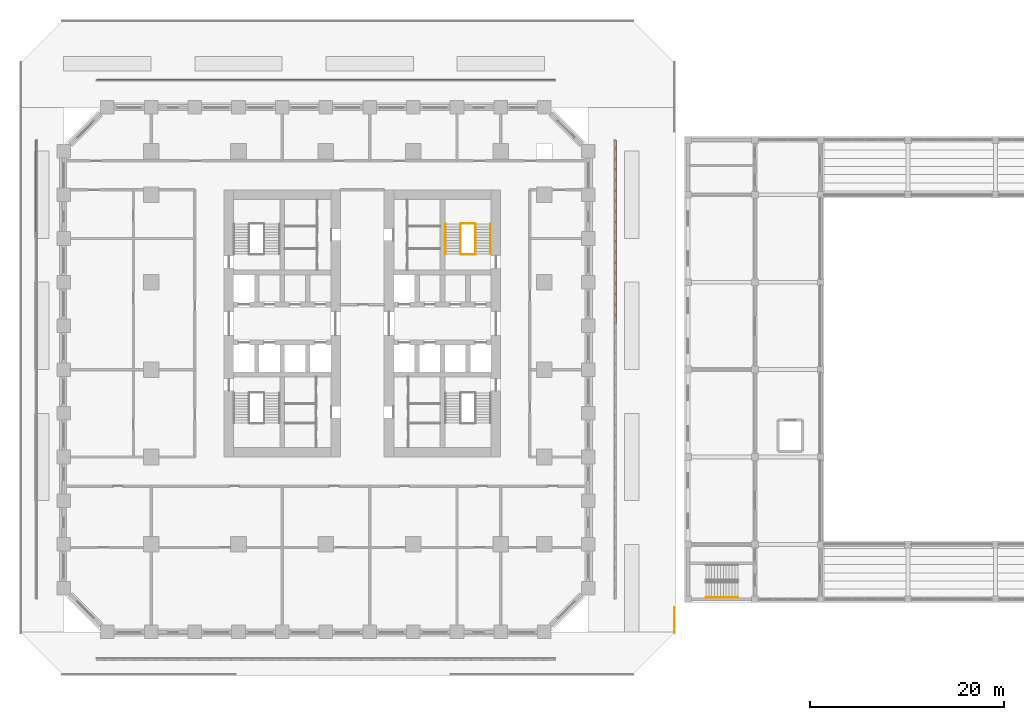
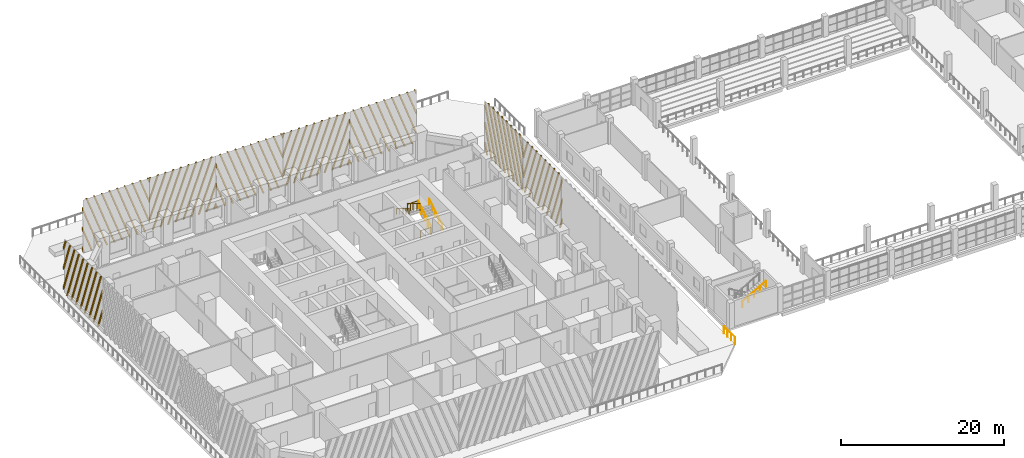
# One storey, part 28 of 36: 8 railings, 8 shading devices.
"""IFC4 building model written with IfcOpenShell, lengths in metres."""

from ifc_helpers import new_model, si_unit, direction, frame, origin, origin_2d, place, context, subcontext, project, spatial, polyline, circle, outline, extrude, source, transform, mapped, material, type_object, element, save


model = new_model("IFC4")

# Units and contexts
model_context = context("Model", 3, precision=1e-05, world=origin(), true_north=direction((0.0, 1.0)))
body_context = subcontext(model_context, "Body", "Model", "MODEL_VIEW")
ifc_project = project(units=[si_unit("LENGTHUNIT", "METRE"), si_unit("AREAUNIT", "SQUARE_METRE"), si_unit("VOLUMEUNIT", "CUBIC_METRE"), si_unit("PLANEANGLEUNIT", "RADIAN"), si_unit("MASSUNIT", "GRAM", prefix="KILO")], contexts=[model_context])

# Site, building, storey
site_placement = place(None, origin())
site = spatial("IfcSite", under=ifc_project, at=site_placement, CompositionType="ELEMENT")
building_placement = place(site_placement, origin())
building = spatial("IfcBuilding", under=site, at=building_placement, Name="Corbel Stack Research Tower", CompositionType="ELEMENT")
storey_placement = place(building_placement, frame((0.0, 0.0, 7.199951171875)))
storey = spatial("IfcBuildingStorey", under=building, at=storey_placement, Name="L01", CompositionType="ELEMENT", Elevation=7.199951171875)

# Railings
ifc_material_1 = material(Name="Steel S235", Category="steel")
railing_type_1 = type_object("IfcRailingType", Name="HR2 handrail 900", PredefinedType="HANDRAIL", material=ifc_material_1)
railing_1_placement = place(storey_placement, frame((39.125, -23.449951171875, 2.220947265625)))
element("IfcRailing", 1, at=railing_1_placement, inside=storey, type_object=railing_type_1, Name="L01 HS1 stair handrail 2", PredefinedType="HANDRAIL", context=body_context, shape_type="SweptSolid", body=[
    extrude(circle(Radius=0.02392578125, at=origin_2d()), frame((0.0, 0.0, 0.8759765625), z_axis=(0.868989882718, 0.0, 0.494829853317), x_axis=(0.0, 1.0, 0.0)), (0.0, 0.0, 1.0), 3.797607421875),
    extrude(circle(Radius=0.02099609375, at=origin_2d()), origin(), (0.0, 0.0, 1.0), 0.851806640625),
    extrude(circle(Radius=0.02099609375, at=origin_2d()), frame((0.824951171875, 0.0, 0.4697265625)), (0.0, 0.0, 1.0), 0.851806640625),
    extrude(circle(Radius=0.02099609375, at=origin_2d()), frame((1.64990234375, 0.0, 0.939453125)), (0.0, 0.0, 1.0), 0.851806640625),
    extrude(circle(Radius=0.02099609375, at=origin_2d()), frame((2.47509765625, 0.0, 1.409423828125)), (0.0, 0.0, 1.0), 0.851806640625),
    extrude(circle(Radius=0.02099609375, at=origin_2d()), frame((3.300048828125, 0.0, 1.879150390625)), (0.0, 0.0, 1.0), 0.851806640625),
])
ifc_material_2 = material(Name="Steel S235", Category="steel")
railing_type_2 = type_object("IfcRailingType", Name="SR1 guard 1100", PredefinedType="GUARDRAIL", material=ifc_material_2)
railing_2_placement = place(storey_placement, frame((35.89990234375, -24.5, 0.0)))
element("IfcRailing", 2, at=railing_2_placement, inside=storey, type_object=railing_type_2, Name="Garden deck guard 6", PredefinedType="GUARDRAIL", context=body_context, shape_type="SweptSolid", body=[
    extrude(circle(Radius=0.02392578125, at=origin_2d()), frame((0.0, 0.0, 1.076171875), z_axis=(0.0, -1.0, 0.0), x_axis=(1.0, 0.0, 0.0)), (0.0, 0.0, 1.0), 2.642333984375),
    extrude(circle(Radius=0.02099609375, at=origin_2d()), origin(), (0.0, 0.0, 1.0), 1.052001953125),
    extrude(circle(Radius=0.02099609375, at=origin_2d()), frame((0.0, -0.880859375, 0.0)), (0.0, 0.0, 1.0), 1.052001953125),
    extrude(circle(Radius=0.02099609375, at=origin_2d()), frame((0.0, -1.761474609375, 0.0)), (0.0, 0.0, 1.0), 1.052001953125),
    extrude(circle(Radius=0.02099609375, at=origin_2d()), frame((0.0, -2.642333984375, 0.0)), (0.0, 0.0, 1.0), 1.052001953125),
])
ifc_material_3 = material(Name="Steel S355", Category="steel")
railing_type_3 = type_object("IfcRailingType", Name="Stair guard 1100", PredefinedType="GUARDRAIL", material=ifc_material_3)
railing_3_placement = place(storey_placement, frame((15.39990234375, 11.89990234375, 0.1708984375)))
element("IfcRailing", 3, at=railing_3_placement, inside=storey, type_object=railing_type_3, Name="L01 ST-E2 stair guard 1", PredefinedType="GUARDRAIL", context=body_context, shape_type="SweptSolid", body=[
    extrude(circle(Radius=0.02392578125, at=origin_2d()), frame((0.0, 0.0, 1.076171875), z_axis=(0.0, 0.853666305674, 0.52082035152), x_axis=(-1.0, 0.0, 0.0)), (0.0, 0.0, 1.0), 3.608154296875),
    extrude(circle(Radius=0.02099609375, at=origin_2d()), origin(), (0.0, 0.0, 1.0), 1.052001953125),
    extrude(circle(Radius=0.02099609375, at=origin_2d()), frame((0.0, 0.77001953125, 0.4697265625)), (0.0, 0.0, 1.0), 1.052001953125),
    extrude(circle(Radius=0.02099609375, at=origin_2d()), frame((0.0, 1.5400390625, 0.939453125)), (0.0, 0.0, 1.0), 1.052001953125),
    extrude(circle(Radius=0.02099609375, at=origin_2d()), frame((0.0, 2.31005859375, 1.409423828125)), (0.0, 0.0, 1.0), 1.052001953125),
    extrude(circle(Radius=0.02099609375, at=origin_2d()), frame((0.0, 3.080078125, 1.879150390625)), (0.0, 0.0, 1.0), 1.052001953125),
])
railing_4_placement = place(storey_placement, frame((15.35009765625, 15.030029296875, 2.050048828125)))
element("IfcRailing", 4, at=railing_4_placement, inside=storey, type_object=railing_type_3, Name="L01 ST-E2 stair guard 2", PredefinedType="GUARDRAIL", context=body_context, shape_type="SweptSolid", body=[
    extrude(circle(Radius=0.02392578125, at=origin_2d()), frame((0.0, 0.0, 1.076171875), z_axis=(-1.0, 0.0, 0.0), x_axis=(0.0, -1.0, 0.0)), (0.0, 0.0, 1.0), 1.4501953125),
    extrude(circle(Radius=0.02099609375, at=origin_2d()), origin(), (0.0, 0.0, 1.0), 1.052001953125),
    extrude(circle(Radius=0.02099609375, at=origin_2d()), frame((-0.72509765625, 0.0, 0.0)), (0.0, 0.0, 1.0), 1.052001953125),
    extrude(circle(Radius=0.02099609375, at=origin_2d()), frame((-1.4501953125, 0.0, 0.0)), (0.0, 0.0, 1.0), 1.052001953125),
])
railing_5_placement = place(storey_placement, frame((13.85009765625, 14.97998046875, 2.220947265625)))
element("IfcRailing", 5, at=railing_5_placement, inside=storey, type_object=railing_type_3, Name="L01 ST-E2 stair guard 3", PredefinedType="GUARDRAIL", context=body_context, shape_type="SweptSolid", body=[
    extrude(circle(Radius=0.02392578125, at=origin_2d()), frame((0.0, 0.0, 1.076171875), z_axis=(0.0, -0.853666305674, 0.52082035152), x_axis=(1.0, 0.0, 0.0)), (0.0, 0.0, 1.0), 3.608154296875),
    extrude(circle(Radius=0.02099609375, at=origin_2d()), origin(), (0.0, 0.0, 1.0), 1.052001953125),
    extrude(circle(Radius=0.02099609375, at=origin_2d()), frame((0.0, -0.77001953125, 0.4697265625)), (0.0, 0.0, 1.0), 1.052001953125),
    extrude(circle(Radius=0.02099609375, at=origin_2d()), frame((0.0, -1.5400390625, 0.939453125)), (0.0, 0.0, 1.0), 1.052001953125),
    extrude(circle(Radius=0.02099609375, at=origin_2d()), frame((0.0, -2.31005859375, 1.409423828125)), (0.0, 0.0, 1.0), 1.052001953125),
    extrude(circle(Radius=0.02099609375, at=origin_2d()), frame((0.0, -3.080078125, 1.879150390625)), (0.0, 0.0, 1.0), 1.052001953125),
])
railing_6_placement = place(storey_placement, frame((15.35009765625, 11.85009765625, 0.0)))
element("IfcRailing", 6, at=railing_6_placement, inside=storey, type_object=railing_type_3, Name="L01 ST-E2 stair guard 4", PredefinedType="GUARDRAIL", context=body_context, shape_type="SweptSolid", body=[
    extrude(circle(Radius=0.02392578125, at=origin_2d()), frame((0.0, 0.0, 1.076171875), z_axis=(-1.0, 0.0, 0.0), x_axis=(0.0, -1.0, 0.0)), (0.0, 0.0, 1.0), 1.4501953125),
    extrude(circle(Radius=0.02099609375, at=origin_2d()), origin(), (0.0, 0.0, 1.0), 1.052001953125),
    extrude(circle(Radius=0.02099609375, at=origin_2d()), frame((-0.72509765625, 0.0, 0.0)), (0.0, 0.0, 1.0), 1.052001953125),
    extrude(circle(Radius=0.02099609375, at=origin_2d()), frame((-1.4501953125, 0.0, 0.0)), (0.0, 0.0, 1.0), 1.052001953125),
])
ifc_material_4 = material(Name="Steel S355", Category="steel")
railing_type_4 = type_object("IfcRailingType", Name="Stair handrail 900", PredefinedType="HANDRAIL", material=ifc_material_4)
railing_7_placement = place(storey_placement, frame((16.949951171875, 11.89990234375, 0.1708984375)))
element("IfcRailing", 7, at=railing_7_placement, inside=storey, type_object=railing_type_4, Name="L01 ST-E2 stair handrail 1", PredefinedType="HANDRAIL", context=body_context, shape_type="SweptSolid", body=[
    extrude(circle(Radius=0.02392578125, at=origin_2d()), frame((0.0, 0.0, 0.8759765625), z_axis=(0.0, 0.853666305674, 0.52082035152), x_axis=(-1.0, 0.0, 0.0)), (0.0, 0.0, 1.0), 3.608154296875),
    extrude(circle(Radius=0.02099609375, at=origin_2d()), origin(), (0.0, 0.0, 1.0), 0.851806640625),
    extrude(circle(Radius=0.02099609375, at=origin_2d()), frame((0.0, 0.77001953125, 0.4697265625)), (0.0, 0.0, 1.0), 0.851806640625),
    extrude(circle(Radius=0.02099609375, at=origin_2d()), frame((0.0, 1.5400390625, 0.939453125)), (0.0, 0.0, 1.0), 0.851806640625),
    extrude(circle(Radius=0.02099609375, at=origin_2d()), frame((0.0, 2.31005859375, 1.409423828125)), (0.0, 0.0, 1.0), 0.851806640625),
    extrude(circle(Radius=0.02099609375, at=origin_2d()), frame((0.0, 3.080078125, 1.879150390625)), (0.0, 0.0, 1.0), 0.851806640625),
])
railing_8_placement = place(storey_placement, frame((12.300048828125, 14.97998046875, 2.220947265625)))
element("IfcRailing", 8, at=railing_8_placement, inside=storey, type_object=railing_type_4, Name="L01 ST-E2 stair handrail 2", PredefinedType="HANDRAIL", context=body_context, shape_type="SweptSolid", body=[
    extrude(circle(Radius=0.02392578125, at=origin_2d()), frame((0.0, 0.0, 0.8759765625), z_axis=(0.0, -0.853666305674, 0.52082035152), x_axis=(1.0, 0.0, 0.0)), (0.0, 0.0, 1.0), 3.608154296875),
    extrude(circle(Radius=0.02099609375, at=origin_2d()), origin(), (0.0, 0.0, 1.0), 0.851806640625),
    extrude(circle(Radius=0.02099609375, at=origin_2d()), frame((0.0, -0.77001953125, 0.4697265625)), (0.0, 0.0, 1.0), 0.851806640625),
    extrude(circle(Radius=0.02099609375, at=origin_2d()), frame((0.0, -1.5400390625, 0.939453125)), (0.0, 0.0, 1.0), 0.851806640625),
    extrude(circle(Radius=0.02099609375, at=origin_2d()), frame((0.0, -2.31005859375, 1.409423828125)), (0.0, 0.0, 1.0), 0.851806640625),
    extrude(circle(Radius=0.02099609375, at=origin_2d()), frame((0.0, -3.080078125, 1.879150390625)), (0.0, 0.0, 1.0), 0.851806640625),
])

# Shading devices
ifc_material_5 = material(Name="Precast terracotta", Category="masonry")
shading_device_type = type_object("IfcShadingDeviceType", Name="Terracotta screen panel", PredefinedType="USERDEFINED", material=ifc_material_5)
shared_shape_1 = source(origin(), body_context, "Body", "SweptSolid", [
    extrude(outline(polyline([(1.09033203125, 7.949951171875), (0.900390625, 7.949951171875), (0.0, 5.476318359375), (0.0, 4.9541015625), (1.09033203125, 7.949951171875)])), frame((0.0, 0.0, 0.0), z_axis=(0.0, -1.0, 0.0), x_axis=(1.0, 0.0, 0.0)), (0.0, 0.0, 1.0), 0.179931640625),
    extrude(outline(polyline([(2.175048828125, 7.949951171875), (1.985107421875, 7.949951171875), (0.0, 2.49609375), (0.0, 1.97412109375), (2.175048828125, 7.949951171875)])), frame((0.0, 0.0, 0.0), z_axis=(0.0, -1.0, 0.0), x_axis=(1.0, 0.0, 0.0)), (0.0, 0.0, 1.0), 0.179931640625),
    extrude(outline(polyline([(0.3662109375, 0.0), (3.259765625, 7.949951171875), (3.069580078125, 7.949951171875), (0.17626953125, 0.0), (0.3662109375, 0.0)])), frame((0.0, 0.0, 0.0), z_axis=(0.0, -1.0, 0.0), x_axis=(1.0, 0.0, 0.0)), (0.0, 0.0, 1.0), 0.179931640625),
    extrude(outline(polyline([(1.45068359375, 0.0), (4.344482421875, 7.949951171875), (4.154296875, 7.949951171875), (1.2607421875, 0.0), (1.45068359375, 0.0)])), frame((0.0, 0.0, 0.0), z_axis=(0.0, -1.0, 0.0), x_axis=(1.0, 0.0, 0.0)), (0.0, 0.0, 1.0), 0.179931640625),
    extrude(outline(polyline([(2.535400390625, 0.0), (5.42919921875, 7.949951171875), (5.239013671875, 7.949951171875), (2.345458984375, 0.0), (2.535400390625, 0.0)])), frame((0.0, 0.0, 0.0), z_axis=(0.0, -1.0, 0.0), x_axis=(1.0, 0.0, 0.0)), (0.0, 0.0, 1.0), 0.179931640625),
    extrude(outline(polyline([(3.6201171875, 0.0), (6.513671875, 7.949951171875), (6.32373046875, 7.949951171875), (3.43017578125, 0.0), (3.6201171875, 0.0)])), frame((0.0, 0.0, 0.0), z_axis=(0.0, -1.0, 0.0), x_axis=(1.0, 0.0, 0.0)), (0.0, 0.0, 1.0), 0.179931640625),
    extrude(outline(polyline([(4.704833984375, 0.0), (7.598388671875, 7.949951171875), (7.408447265625, 7.949951171875), (4.514892578125, 0.0), (4.704833984375, 0.0)])), frame((0.0, 0.0, 0.0), z_axis=(0.0, -1.0, 0.0), x_axis=(1.0, 0.0, 0.0)), (0.0, 0.0, 1.0), 0.179931640625),
    extrude(outline(polyline([(5.78955078125, 0.0), (8.68310546875, 7.949951171875), (8.4931640625, 7.949951171875), (5.599609375, 0.0), (5.78955078125, 0.0)])), frame((0.0, 0.0, 0.0), z_axis=(0.0, -1.0, 0.0), x_axis=(1.0, 0.0, 0.0)), (0.0, 0.0, 1.0), 0.179931640625),
    extrude(outline(polyline([(6.874267578125, 0.0), (9.45556640625, 7.092529296875), (9.45556640625, 7.614501953125), (6.68408203125, 0.0), (6.874267578125, 0.0)])), frame((0.0, 0.0, 0.0), z_axis=(0.0, -1.0, 0.0), x_axis=(1.0, 0.0, 0.0)), (0.0, 0.0, 1.0), 0.179931640625),
    extrude(outline(polyline([(7.958740234375, 0.0), (9.45556640625, 4.1123046875), (9.45556640625, 4.634521484375), (7.768798828125, 0.0), (7.958740234375, 0.0)])), frame((0.0, 0.0, 0.0), z_axis=(0.0, -1.0, 0.0), x_axis=(1.0, 0.0, 0.0)), (0.0, 0.0, 1.0), 0.179931640625),
    extrude(outline(polyline([(9.04345703125, 0.0), (9.45556640625, 1.13232421875), (9.45556640625, 1.654296875), (8.853515625, 0.0), (9.04345703125, 0.0)])), frame((0.0, 0.0, 0.0), z_axis=(0.0, -1.0, 0.0), x_axis=(1.0, 0.0, 0.0)), (0.0, 0.0, 1.0), 0.179931640625),
])
shading_device_1_placement = place(storey_placement, frame((29.75, 14.18359375, 0.0), z_axis=(0.0, 0.0, 1.0), x_axis=(0.0, 1.0, 0.0)))
element("IfcShadingDevice", 9, at=shading_device_1_placement, inside=storey, type_object=shading_device_type, Name="Terracotta screen L01 E5", ObjectType="SCREEN", PredefinedType="USERDEFINED", context=body_context, shape_type="MappedRepresentation", body=[
    mapped(shared_shape_1, transform((0.0, 0.0, 0.0))),
])
shared_shape_2 = source(origin(), body_context, "Body", "SweptSolid", [
    extrude(outline(polyline([(0.60205078125, 0.0), (0.0, 1.654296875), (0.0, 1.13232421875), (0.412109375, 0.0), (0.60205078125, 0.0)])), frame((0.0, 0.0, 0.0), z_axis=(0.0, -1.0, 0.0), x_axis=(1.0, 0.0, 0.0)), (0.0, 0.0, 1.0), 0.179931640625),
    extrude(outline(polyline([(1.686767578125, 0.0), (0.0, 4.634521484375), (0.0, 4.1123046875), (1.496826171875, 0.0), (1.686767578125, 0.0)])), frame((0.0, 0.0, 0.0), z_axis=(0.0, -1.0, 0.0), x_axis=(1.0, 0.0, 0.0)), (0.0, 0.0, 1.0), 0.179931640625),
    extrude(outline(polyline([(2.771484375, 0.0), (0.0, 7.614501953125), (0.0, 7.092529296875), (2.58154296875, 0.0), (2.771484375, 0.0)])), frame((0.0, 0.0, 0.0), z_axis=(0.0, -1.0, 0.0), x_axis=(1.0, 0.0, 0.0)), (0.0, 0.0, 1.0), 0.179931640625),
    extrude(outline(polyline([(3.856201171875, 0.0), (0.962646484375, 7.949951171875), (0.772705078125, 7.949951171875), (3.666015625, 0.0), (3.856201171875, 0.0)])), frame((0.0, 0.0, 0.0), z_axis=(0.0, -1.0, 0.0), x_axis=(1.0, 0.0, 0.0)), (0.0, 0.0, 1.0), 0.179931640625),
    extrude(outline(polyline([(4.94091796875, 0.0), (2.047119140625, 7.949951171875), (1.857177734375, 7.949951171875), (4.750732421875, 0.0), (4.94091796875, 0.0)])), frame((0.0, 0.0, 0.0), z_axis=(0.0, -1.0, 0.0), x_axis=(1.0, 0.0, 0.0)), (0.0, 0.0, 1.0), 0.179931640625),
    extrude(outline(polyline([(6.025390625, 0.0), (3.1318359375, 7.949951171875), (2.94189453125, 7.949951171875), (5.83544921875, 0.0), (6.025390625, 0.0)])), frame((0.0, 0.0, 0.0), z_axis=(0.0, -1.0, 0.0), x_axis=(1.0, 0.0, 0.0)), (0.0, 0.0, 1.0), 0.179931640625),
    extrude(outline(polyline([(7.110107421875, 0.0), (4.216552734375, 7.949951171875), (4.026611328125, 7.949951171875), (6.920166015625, 0.0), (7.110107421875, 0.0)])), frame((0.0, 0.0, 0.0), z_axis=(0.0, -1.0, 0.0), x_axis=(1.0, 0.0, 0.0)), (0.0, 0.0, 1.0), 0.179931640625),
    extrude(outline(polyline([(8.19482421875, 0.0), (5.30126953125, 7.949951171875), (5.111083984375, 7.949951171875), (8.0048828125, 0.0), (8.19482421875, 0.0)])), frame((0.0, 0.0, 0.0), z_axis=(0.0, -1.0, 0.0), x_axis=(1.0, 0.0, 0.0)), (0.0, 0.0, 1.0), 0.179931640625),
    extrude(outline(polyline([(9.279541015625, 0.0), (6.385986328125, 7.949951171875), (6.19580078125, 7.949951171875), (9.089599609375, 0.0), (9.279541015625, 0.0)])), frame((0.0, 0.0, 0.0), z_axis=(0.0, -1.0, 0.0), x_axis=(1.0, 0.0, 0.0)), (0.0, 0.0, 1.0), 0.179931640625),
    extrude(outline(polyline([(7.470703125, 7.949951171875), (7.280517578125, 7.949951171875), (9.45556640625, 1.97412109375), (9.45556640625, 2.49609375), (7.470703125, 7.949951171875)])), frame((0.0, 0.0, 0.0), z_axis=(0.0, -1.0, 0.0), x_axis=(1.0, 0.0, 0.0)), (0.0, 0.0, 1.0), 0.179931640625),
    extrude(outline(polyline([(8.55517578125, 7.949951171875), (8.365234375, 7.949951171875), (9.45556640625, 4.9541015625), (9.45556640625, 5.476318359375), (8.55517578125, 7.949951171875)])), frame((0.0, 0.0, 0.0), z_axis=(0.0, -1.0, 0.0), x_axis=(1.0, 0.0, 0.0)), (0.0, 0.0, 1.0), 0.179931640625),
])
shading_device_2_placement = place(storey_placement, frame((29.75, 4.727783203125, 0.0), z_axis=(0.0, 0.0, 1.0), x_axis=(0.0, 1.0, 0.0)))
element("IfcShadingDevice", 10, at=shading_device_2_placement, inside=storey, type_object=shading_device_type, Name="Terracotta screen L01 E4", ObjectType="SCREEN", PredefinedType="USERDEFINED", context=body_context, shape_type="MappedRepresentation", body=[
    mapped(shared_shape_2, transform((0.0, 0.0, 0.0))),
])
shared_shape_3 = source(origin(), body_context, "Body", "SweptSolid", [
    extrude(outline(polyline([(0.27685546875, 7.949951171875), (0.0869140625, 7.949951171875), (0.0, 7.711181640625), (0.0, 7.189208984375), (0.27685546875, 7.949951171875)])), frame((0.0, 0.0, 0.0), z_axis=(0.0, -1.0, 0.0), x_axis=(1.0, 0.0, 0.0)), (0.0, 0.0, 1.0), 0.179931640625),
    extrude(outline(polyline([(1.361572265625, 7.949951171875), (1.171630859375, 7.949951171875), (0.0, 4.731201171875), (0.0, 4.208984375), (1.361572265625, 7.949951171875)])), frame((0.0, 0.0, 0.0), z_axis=(0.0, -1.0, 0.0), x_axis=(1.0, 0.0, 0.0)), (0.0, 0.0, 1.0), 0.179931640625),
    extrude(outline(polyline([(2.4462890625, 7.949951171875), (2.256103515625, 7.949951171875), (0.0, 1.751220703125), (0.0, 1.22900390625), (2.4462890625, 7.949951171875)])), frame((0.0, 0.0, 0.0), z_axis=(0.0, -1.0, 0.0), x_axis=(1.0, 0.0, 0.0)), (0.0, 0.0, 1.0), 0.179931640625),
    extrude(outline(polyline([(0.63720703125, 0.0), (3.531005859375, 7.949951171875), (3.3408203125, 7.949951171875), (0.447265625, 0.0), (0.63720703125, 0.0)])), frame((0.0, 0.0, 0.0), z_axis=(0.0, -1.0, 0.0), x_axis=(1.0, 0.0, 0.0)), (0.0, 0.0, 1.0), 0.179931640625),
    extrude(outline(polyline([(1.721923828125, 0.0), (4.615478515625, 7.949951171875), (4.425537109375, 7.949951171875), (1.531982421875, 0.0), (1.721923828125, 0.0)])), frame((0.0, 0.0, 0.0), z_axis=(0.0, -1.0, 0.0), x_axis=(1.0, 0.0, 0.0)), (0.0, 0.0, 1.0), 0.179931640625),
    extrude(outline(polyline([(2.806640625, 0.0), (5.7001953125, 7.949951171875), (5.51025390625, 7.949951171875), (2.61669921875, 0.0), (2.806640625, 0.0)])), frame((0.0, 0.0, 0.0), z_axis=(0.0, -1.0, 0.0), x_axis=(1.0, 0.0, 0.0)), (0.0, 0.0, 1.0), 0.179931640625),
    extrude(outline(polyline([(3.891357421875, 0.0), (6.784912109375, 7.949951171875), (6.594970703125, 7.949951171875), (3.701416015625, 0.0), (3.891357421875, 0.0)])), frame((0.0, 0.0, 0.0), z_axis=(0.0, -1.0, 0.0), x_axis=(1.0, 0.0, 0.0)), (0.0, 0.0, 1.0), 0.179931640625),
    extrude(outline(polyline([(4.97607421875, 0.0), (7.86962890625, 7.949951171875), (7.6796875, 7.949951171875), (4.785888671875, 0.0), (4.97607421875, 0.0)])), frame((0.0, 0.0, 0.0), z_axis=(0.0, -1.0, 0.0), x_axis=(1.0, 0.0, 0.0)), (0.0, 0.0, 1.0), 0.179931640625),
    extrude(outline(polyline([(6.060791015625, 0.0), (8.9541015625, 7.949951171875), (8.76416015625, 7.949951171875), (5.87060546875, 0.0), (6.060791015625, 0.0)])), frame((0.0, 0.0, 0.0), z_axis=(0.0, -1.0, 0.0), x_axis=(1.0, 0.0, 0.0)), (0.0, 0.0, 1.0), 0.179931640625),
    extrude(outline(polyline([(7.145263671875, 0.0), (9.45556640625, 6.347412109375), (9.45556640625, 6.869384765625), (6.955322265625, 0.0), (7.145263671875, 0.0)])), frame((0.0, 0.0, 0.0), z_axis=(0.0, -1.0, 0.0), x_axis=(1.0, 0.0, 0.0)), (0.0, 0.0, 1.0), 0.179931640625),
    extrude(outline(polyline([(8.22998046875, 0.0), (9.45556640625, 3.367431640625), (9.45556640625, 3.889404296875), (8.0400390625, 0.0), (8.22998046875, 0.0)])), frame((0.0, 0.0, 0.0), z_axis=(0.0, -1.0, 0.0), x_axis=(1.0, 0.0, 0.0)), (0.0, 0.0, 1.0), 0.179931640625),
    extrude(outline(polyline([(9.314697265625, 0.0), (9.45556640625, 0.38720703125), (9.45556640625, 0.9091796875), (9.124755859375, 0.0), (9.314697265625, 0.0)])), frame((0.0, 0.0, 0.0), z_axis=(0.0, -1.0, 0.0), x_axis=(1.0, 0.0, 0.0)), (0.0, 0.0, 1.0), 0.179931640625),
])
for number, where, z_axis, x_axis, name in (
    (11, (23.63916015625, 29.75, 0.0), (0.0, 0.0, 1.0), (-1.0, 0.0, 0.0), "Terracotta screen L01 N1"),
    (12, (4.727783203125, 29.75, 0.0), (0.0, 0.0, 1.0), (-1.0, 0.0, 0.0), "Terracotta screen L01 N3"),
    (13, (-14.18359375, 29.75, 0.0), (0.0, 0.0, 1.0), (-1.0, 0.0, 0.0), "Terracotta screen L01 N5"),
):
    element("IfcShadingDevice", number, at=place(storey_placement, frame(where, z_axis=z_axis, x_axis=x_axis)), inside=storey, type_object=shading_device_type, Name=name, ObjectType="SCREEN", PredefinedType="USERDEFINED", context=body_context, shape_type="MappedRepresentation", body=[
        mapped(shared_shape_3, transform((0.0, 0.0, 0.0))),
    ])
shared_shape_4 = source(origin(), body_context, "Body", "SweptSolid", [
    extrude(outline(polyline([(0.3310546875, 0.0), (0.0, 0.9091796875), (0.0, 0.38720703125), (0.14111328125, 0.0), (0.3310546875, 0.0)])), frame((0.0, 0.0, 0.0), z_axis=(0.0, -1.0, 0.0), x_axis=(1.0, 0.0, 0.0)), (0.0, 0.0, 1.0), 0.179931640625),
    extrude(outline(polyline([(1.41552734375, 0.0), (0.0, 3.889404296875), (0.0, 3.367431640625), (1.2255859375, 0.0), (1.41552734375, 0.0)])), frame((0.0, 0.0, 0.0), z_axis=(0.0, -1.0, 0.0), x_axis=(1.0, 0.0, 0.0)), (0.0, 0.0, 1.0), 0.179931640625),
    extrude(outline(polyline([(2.500244140625, 0.0), (0.0, 6.869384765625), (0.0, 6.347412109375), (2.310302734375, 0.0), (2.500244140625, 0.0)])), frame((0.0, 0.0, 0.0), z_axis=(0.0, -1.0, 0.0), x_axis=(1.0, 0.0, 0.0)), (0.0, 0.0, 1.0), 0.179931640625),
    extrude(outline(polyline([(3.5849609375, 0.0), (0.69140625, 7.949951171875), (0.50146484375, 7.949951171875), (3.39501953125, 0.0), (3.5849609375, 0.0)])), frame((0.0, 0.0, 0.0), z_axis=(0.0, -1.0, 0.0), x_axis=(1.0, 0.0, 0.0)), (0.0, 0.0, 1.0), 0.179931640625),
    extrude(outline(polyline([(4.669677734375, 0.0), (1.776123046875, 7.949951171875), (1.586181640625, 7.949951171875), (4.4794921875, 0.0), (4.669677734375, 0.0)])), frame((0.0, 0.0, 0.0), z_axis=(0.0, -1.0, 0.0), x_axis=(1.0, 0.0, 0.0)), (0.0, 0.0, 1.0), 0.179931640625),
    extrude(outline(polyline([(5.75439453125, 0.0), (2.860595703125, 7.949951171875), (2.670654296875, 7.949951171875), (5.564208984375, 0.0), (5.75439453125, 0.0)])), frame((0.0, 0.0, 0.0), z_axis=(0.0, -1.0, 0.0), x_axis=(1.0, 0.0, 0.0)), (0.0, 0.0, 1.0), 0.179931640625),
    extrude(outline(polyline([(6.839111328125, 0.0), (3.9453125, 7.949951171875), (3.75537109375, 7.949951171875), (6.64892578125, 0.0), (6.839111328125, 0.0)])), frame((0.0, 0.0, 0.0), z_axis=(0.0, -1.0, 0.0), x_axis=(1.0, 0.0, 0.0)), (0.0, 0.0, 1.0), 0.179931640625),
    extrude(outline(polyline([(7.923583984375, 0.0), (5.030029296875, 7.949951171875), (4.840087890625, 7.949951171875), (7.733642578125, 0.0), (7.923583984375, 0.0)])), frame((0.0, 0.0, 0.0), z_axis=(0.0, -1.0, 0.0), x_axis=(1.0, 0.0, 0.0)), (0.0, 0.0, 1.0), 0.179931640625),
    extrude(outline(polyline([(9.00830078125, 0.0), (6.11474609375, 7.949951171875), (5.9248046875, 7.949951171875), (8.818359375, 0.0), (9.00830078125, 0.0)])), frame((0.0, 0.0, 0.0), z_axis=(0.0, -1.0, 0.0), x_axis=(1.0, 0.0, 0.0)), (0.0, 0.0, 1.0), 0.179931640625),
    extrude(outline(polyline([(7.199462890625, 7.949951171875), (7.009521484375, 7.949951171875), (9.45556640625, 1.22900390625), (9.45556640625, 1.751220703125), (7.199462890625, 7.949951171875)])), frame((0.0, 0.0, 0.0), z_axis=(0.0, -1.0, 0.0), x_axis=(1.0, 0.0, 0.0)), (0.0, 0.0, 1.0), 0.179931640625),
    extrude(outline(polyline([(8.2841796875, 7.949951171875), (8.093994140625, 7.949951171875), (9.45556640625, 4.208984375), (9.45556640625, 4.731201171875), (8.2841796875, 7.949951171875)])), frame((0.0, 0.0, 0.0), z_axis=(0.0, -1.0, 0.0), x_axis=(1.0, 0.0, 0.0)), (0.0, 0.0, 1.0), 0.179931640625),
    extrude(outline(polyline([(9.36865234375, 7.949951171875), (9.1787109375, 7.949951171875), (9.45556640625, 7.189208984375), (9.45556640625, 7.711181640625), (9.36865234375, 7.949951171875)])), frame((0.0, 0.0, 0.0), z_axis=(0.0, -1.0, 0.0), x_axis=(1.0, 0.0, 0.0)), (0.0, 0.0, 1.0), 0.179931640625),
])
for number, where, z_axis, x_axis, name in (
    (14, (14.18359375, 29.75, 0.0), (0.0, 0.0, 1.0), (-1.0, 0.0, 0.0), "Terracotta screen L01 N2"),
    (15, (-4.727783203125, 29.75, 0.0), (0.0, 0.0, 1.0), (-1.0, 0.0, 0.0), "Terracotta screen L01 N4"),
):
    element("IfcShadingDevice", number, at=place(storey_placement, frame(where, z_axis=z_axis, x_axis=x_axis)), inside=storey, type_object=shading_device_type, Name=name, ObjectType="SCREEN", PredefinedType="USERDEFINED", context=body_context, shape_type="MappedRepresentation", body=[
        mapped(shared_shape_4, transform((0.0, 0.0, 0.0))),
    ])
shared_shape_5 = source(origin(), body_context, "Body", "SweptSolid", [
    extrude(outline(polyline([(0.548095703125, 7.949951171875), (0.358154296875, 7.949951171875), (0.0, 6.96630859375), (0.0, 6.444091796875), (0.548095703125, 7.949951171875)])), frame((0.0, 0.0, 0.0), z_axis=(0.0, -1.0, 0.0), x_axis=(1.0, 0.0, 0.0)), (0.0, 0.0, 1.0), 0.179931640625),
    extrude(outline(polyline([(1.6328125, 7.949951171875), (1.442626953125, 7.949951171875), (0.0, 3.986083984375), (0.0, 3.464111328125), (1.6328125, 7.949951171875)])), frame((0.0, 0.0, 0.0), z_axis=(0.0, -1.0, 0.0), x_axis=(1.0, 0.0, 0.0)), (0.0, 0.0, 1.0), 0.179931640625),
    extrude(outline(polyline([(2.71728515625, 7.949951171875), (2.52734375, 7.949951171875), (0.0, 1.006103515625), (0.0, 0.48388671875), (2.71728515625, 7.949951171875)])), frame((0.0, 0.0, 0.0), z_axis=(0.0, -1.0, 0.0), x_axis=(1.0, 0.0, 0.0)), (0.0, 0.0, 1.0), 0.179931640625),
    extrude(outline(polyline([(0.908447265625, 0.0), (3.802001953125, 7.949951171875), (3.612060546875, 7.949951171875), (0.718505859375, 0.0), (0.908447265625, 0.0)])), frame((0.0, 0.0, 0.0), z_axis=(0.0, -1.0, 0.0), x_axis=(1.0, 0.0, 0.0)), (0.0, 0.0, 1.0), 0.179931640625),
    extrude(outline(polyline([(1.9931640625, 0.0), (4.88671875, 7.949951171875), (4.69677734375, 7.949951171875), (1.80322265625, 0.0), (1.9931640625, 0.0)])), frame((0.0, 0.0, 0.0), z_axis=(0.0, -1.0, 0.0), x_axis=(1.0, 0.0, 0.0)), (0.0, 0.0, 1.0), 0.179931640625),
    extrude(outline(polyline([(3.077880859375, 0.0), (5.971435546875, 7.949951171875), (5.781494140625, 7.949951171875), (2.8876953125, 0.0), (3.077880859375, 0.0)])), frame((0.0, 0.0, 0.0), z_axis=(0.0, -1.0, 0.0), x_axis=(1.0, 0.0, 0.0)), (0.0, 0.0, 1.0), 0.179931640625),
    extrude(outline(polyline([(4.16259765625, 0.0), (7.05615234375, 7.949951171875), (6.8662109375, 7.949951171875), (3.972412109375, 0.0), (4.16259765625, 0.0)])), frame((0.0, 0.0, 0.0), z_axis=(0.0, -1.0, 0.0), x_axis=(1.0, 0.0, 0.0)), (0.0, 0.0, 1.0), 0.179931640625),
    extrude(outline(polyline([(5.247314453125, 0.0), (8.140625, 7.949951171875), (7.95068359375, 7.949951171875), (5.05712890625, 0.0), (5.247314453125, 0.0)])), frame((0.0, 0.0, 0.0), z_axis=(0.0, -1.0, 0.0), x_axis=(1.0, 0.0, 0.0)), (0.0, 0.0, 1.0), 0.179931640625),
    extrude(outline(polyline([(6.331787109375, 0.0), (9.225341796875, 7.949951171875), (9.035400390625, 7.949951171875), (6.141845703125, 0.0), (6.331787109375, 0.0)])), frame((0.0, 0.0, 0.0), z_axis=(0.0, -1.0, 0.0), x_axis=(1.0, 0.0, 0.0)), (0.0, 0.0, 1.0), 0.179931640625),
    extrude(outline(polyline([(7.41650390625, 0.0), (9.45556640625, 5.6025390625), (9.45556640625, 6.12451171875), (7.2265625, 0.0), (7.41650390625, 0.0)])), frame((0.0, 0.0, 0.0), z_axis=(0.0, -1.0, 0.0), x_axis=(1.0, 0.0, 0.0)), (0.0, 0.0, 1.0), 0.179931640625),
    extrude(outline(polyline([(8.501220703125, 0.0), (9.45556640625, 2.622314453125), (9.45556640625, 3.144287109375), (8.311279296875, 0.0), (8.501220703125, 0.0)])), frame((0.0, 0.0, 0.0), z_axis=(0.0, -1.0, 0.0), x_axis=(1.0, 0.0, 0.0)), (0.0, 0.0, 1.0), 0.179931640625),
])
shading_device_3_placement = place(storey_placement, frame((-29.75, 23.63916015625, 0.0), z_axis=(0.0, 0.0, 1.0), x_axis=(0.0, -1.0, 0.0)))
element("IfcShadingDevice", 16, at=shading_device_3_placement, inside=storey, type_object=shading_device_type, Name="Terracotta screen L01 W1", ObjectType="SCREEN", PredefinedType="USERDEFINED", context=body_context, shape_type="MappedRepresentation", body=[
    mapped(shared_shape_5, transform((0.0, 0.0, 0.0))),
])

save(model, "model.ifc")
